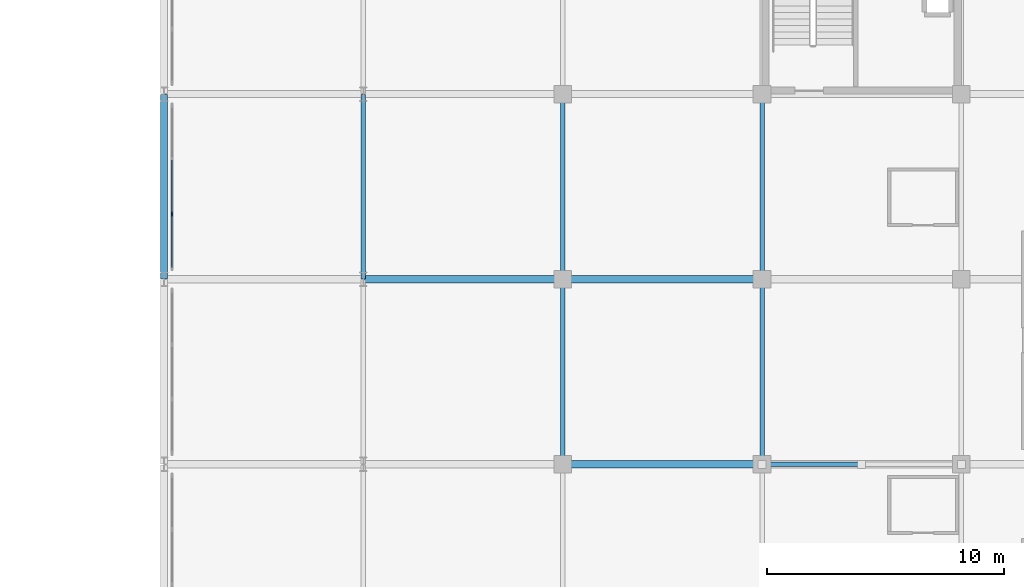
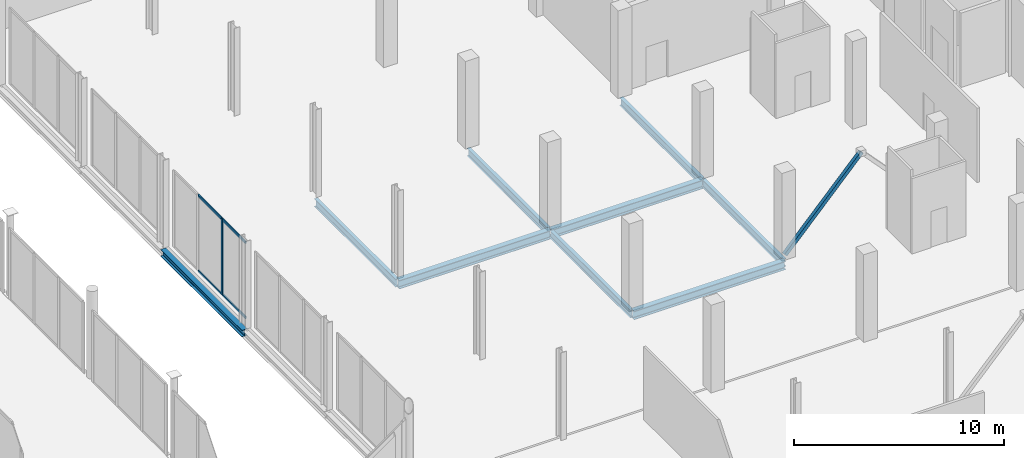
# One storey, part 57 of 105: 9 beams, 6 members, 1 element without a shape of its own.
"""IFC4 building model written with IfcOpenShell, lengths in metres."""

import ifcopenshell
import ifcopenshell.guid

model = None  # the IFC model being written
_history = None  # IfcOwnerHistory: only IFC2X3 demands one
_inside = {}  # id of a spatial element -> (the spatial element, [elements in it])
_under = {}  # id of a project, library or spatial element -> (it, [spatial elements below it])
_declared = {}  # id of a project -> (the project, [libraries it declares])
_typed = {}  # id of a type object -> (the type object, [elements of that type])
_made_of = {}  # id of a material, layer set ... -> (it, [elements and type objects made of it])


def new_model(schema):
    """Start an empty IFC model of exactly this schema.

    Asked for "IFC4X3", IfcOpenShell would pick the latest addendum, in which some entities
    have other attributes; the version numbers below select the first issue.
    IFC2X3 requires an IfcOwnerHistory on every rooted entity: one is made here for all.
    """
    global model, _history
    if schema == "IFC4X3":
        model = ifcopenshell.file(schema_version=(4, 3, 0, 0))
    else:
        model = ifcopenshell.file(schema=schema)
    _inside.clear()
    _under.clear()
    _declared.clear()
    _typed.clear()
    _made_of.clear()
    _history = None
    if model.schema == "IFC2X3":
        org = make("IfcOrganization", Name="unknown")
        user = make(
            "IfcPersonAndOrganization",
            ThePerson=make("IfcPerson", FamilyName="unknown"),
            TheOrganization=org,
        )
        app = make(
            "IfcApplication",
            ApplicationDeveloper=org,
            Version="unknown",
            ApplicationFullName="unknown",
            ApplicationIdentifier="unknown",
        )
        _history = make(
            "IfcOwnerHistory",
            OwningUser=user,
            OwningApplication=app,
            ChangeAction="ADDED",
            CreationDate=0,
        )
    return model


def make(cls, **values):
    """One entity of the class cls with the attributes given. An attribute that is None is left unset."""
    return model.create_entity(
        cls, **{name: value for name, value in values.items() if value is not None}
    )


def rooted(cls, **values):
    """An entity with a GlobalId (a new one), such as an element, a storey or a relation."""
    return make(cls, GlobalId=ifcopenshell.guid.new(), OwnerHistory=_history, **values)


def si_unit(unit_type, name, prefix=None):
    """IfcSIUnit, for example si_unit("LENGTHUNIT", "METRE", prefix="MILLI")."""
    return make("IfcSIUnit", UnitType=unit_type, Prefix=prefix, Name=name)


def assignment(units):
    """IfcUnitAssignment: the units of a project."""
    return None if units is None else make("IfcUnitAssignment", Units=units)


def point(xyz):
    """IfcCartesianPoint."""
    return None if xyz is None else make("IfcCartesianPoint", Coordinates=xyz)


def direction(xyz):
    """IfcDirection."""
    return None if xyz is None else make("IfcDirection", DirectionRatios=xyz)


def frame(location, z_axis=None, x_axis=None):
    """IfcAxis2Placement3D, a coordinate frame: its origin and axes. An axis left out is left unset."""
    return make(
        "IfcAxis2Placement3D",
        Location=point(location),
        Axis=direction(z_axis),
        RefDirection=direction(x_axis),
    )


def frame_2d(location, x_axis=None):
    """IfcAxis2Placement2D, a coordinate frame in the plane: its origin and x axis."""
    return make(
        "IfcAxis2Placement2D", Location=point(location), RefDirection=direction(x_axis)
    )


def origin():
    """The frame at (0, 0, 0) with its axes left unset."""
    return frame((0.0, 0.0, 0.0))


def origin_2d():
    """The frame at (0, 0) in the plane with its x axis left unset."""
    return frame_2d((0.0, 0.0))


def place(relative_to, where):
    """IfcLocalPlacement: puts the frame where relative to a parent placement (None: the world)."""
    return make(
        "IfcLocalPlacement", PlacementRelTo=relative_to, RelativePlacement=where
    )


def context(
    kind, dimensions, precision=None, world=None, true_north=None, identifier=None
):
    """IfcGeometricRepresentationContext, for example the 3D "Model" context."""
    return make(
        "IfcGeometricRepresentationContext",
        ContextIdentifier=identifier,
        ContextType=kind,
        CoordinateSpaceDimension=dimensions,
        Precision=precision,
        WorldCoordinateSystem=world,
        TrueNorth=true_north,
    )


def subcontext(parent, identifier, kind, view, scale=None):
    """IfcGeometricRepresentationSubContext, for example "Body" below "Model"."""
    return make(
        "IfcGeometricRepresentationSubContext",
        ContextIdentifier=identifier,
        ContextType=kind,
        ParentContext=parent,
        TargetScale=scale,
        TargetView=view,
    )


def project(units=None, contexts=None):
    """IfcProject with its units and contexts."""
    return rooted(
        "IfcProject",
        Name="project",
        RepresentationContexts=contexts,
        UnitsInContext=assignment(units),
    )


def spatial(cls, under=None, at=None, **own):
    """A site, building, storey or space (cls), placed at a placement, below another one or the project."""
    s = rooted(cls, ObjectPlacement=at, **own)
    if under is not None:
        _under.setdefault(under.id(), (under, []))[1].append(s)
    return s


def profile(cls, at=None, kind="AREA", **sizes):
    """A parametric profile (cls). Its sizes go by their IFC names, for example OverallWidth=200.0."""
    return make(cls, ProfileType=kind, Position=at, **sizes)


def rectangle(**sizes):
    """IfcRectangleProfileDef."""
    return profile("IfcRectangleProfileDef", **sizes)


def hollow_rectangle(**sizes):
    """IfcRectangleHollowProfileDef."""
    return profile("IfcRectangleHollowProfileDef", **sizes)


def i_section(**sizes):
    """IfcIShapeProfileDef."""
    return profile("IfcIShapeProfileDef", **sizes)


def extrude(swept, where, along, depth):
    """IfcExtrudedAreaSolid: the profile swept, set in the frame where, extruded along a direction by depth."""
    return make(
        "IfcExtrudedAreaSolid",
        SweptArea=swept,
        Position=where,
        ExtrudedDirection=direction(along),
        Depth=depth,
    )


def shape(context_of_items, identifier, shape_type, items):
    """IfcShapeRepresentation: the items that make up one representation, for example the "Body"."""
    return make(
        "IfcShapeRepresentation",
        ContextOfItems=context_of_items,
        RepresentationIdentifier=identifier,
        RepresentationType=shape_type,
        Items=items,
    )


def material(Name=None, Category=None):
    """IfcMaterial."""
    return make("IfcMaterial", Name=Name, Category=Category)


def material_profile(
    of_material, cross_section, Name=None, Category=None, Priority=None
):
    """IfcMaterialProfile: a cross section and its material."""
    return make(
        "IfcMaterialProfile",
        Name=Name,
        Material=of_material,
        Profile=cross_section,
        Priority=Priority,
        Category=Category,
    )


def profile_set(profiles, Name=None, composite=None):
    """IfcMaterialProfileSet."""
    return make(
        "IfcMaterialProfileSet",
        Name=Name,
        MaterialProfiles=profiles,
        CompositeProfile=composite,
    )


def made_of(thing, what):
    """Note that an element or type object is made of a material, layer set ...; save() writes the relation."""
    if what is not None:
        _made_of.setdefault(what.id(), (what, []))[1].append(thing)
    return thing


def type_object(cls, material=None, **own):
    """A type object (cls), such as IfcWallType, which elements share."""
    return made_of(rooted(cls, **own), material)


def element(
    cls,
    number,
    at=None,
    inside=None,
    cuts=None,
    type_object=None,
    material=None,
    context=None,
    identifier="Body",
    shape_type=None,
    held_by="IfcProductDefinitionShape",
    body=None,
    shapes=None,
    **own,
):
    """One element of the class cls, such as IfcWall. Its Tag is "e" and its number.

    at: its placement. inside: the storey or other place that contains it. cuts: it is an
    opening in that element (IfcRelVoidsElement). A single representation is given by context,
    identifier, shape_type and body (its items); several are given by shapes. held_by: the class
    of the entity that holds the representations. save() writes the other relations.
    """
    e = rooted(cls, Tag="e%d" % number, ObjectPlacement=at, **own)
    if body is not None:
        shapes = [shape(context, identifier, shape_type, body)]
    if shapes is not None:
        e.Representation = make(held_by, Representations=shapes)
    if inside is not None:
        _inside.setdefault(inside.id(), (inside, []))[1].append(e)
    if cuts is not None:
        rooted(
            "IfcRelVoidsElement", RelatingBuildingElement=cuts, RelatedOpeningElement=e
        )
    if type_object is not None:
        _typed.setdefault(type_object.id(), (type_object, []))[1].append(e)
    return made_of(e, material)


def aggregate(whole, parts):
    """IfcRelAggregates: a whole, such as a stair, and the parts it consists of."""
    return rooted("IfcRelAggregates", RelatingObject=whole, RelatedObjects=parts)


def save(model, path):
    """Write the relations noted so far, then the file.

    IfcRelAggregates (storeys below a building ...), IfcRelContainedInSpatialStructure (elements
    in a storey), IfcRelDefinesByType, IfcRelAssociatesMaterial and IfcRelDeclares: one each for
    every whole, place, type object, material and project.
    """
    for whole, parts in _under.values():
        aggregate(whole, parts)
    for where, things in _inside.values():
        rooted(
            "IfcRelContainedInSpatialStructure",
            RelatedElements=things,
            RelatingStructure=where,
        )
    for kind, things in _typed.values():
        rooted("IfcRelDefinesByType", RelatedObjects=things, RelatingType=kind)
    for what, things in _made_of.values():
        rooted("IfcRelAssociatesMaterial", RelatedObjects=things, RelatingMaterial=what)
    for by, libraries in _declared.values():
        rooted("IfcRelDeclares", RelatingContext=by, RelatedDefinitions=libraries)
    model.write(path)


model = new_model("IFC4")

# Units and contexts
model_context = context("Model", 3, precision=1e-05, world=origin(), true_north=direction((0.0, 1.0)))
body_context = subcontext(model_context, "Body", "Model", "MODEL_VIEW")
ifc_project = project(units=[si_unit("LENGTHUNIT", "METRE"), si_unit("AREAUNIT", "SQUARE_METRE"), si_unit("VOLUMEUNIT", "CUBIC_METRE"), si_unit("PLANEANGLEUNIT", "RADIAN"), si_unit("MASSUNIT", "GRAM", prefix="KILO")], contexts=[model_context])

# Site, building, storey
site_placement = place(None, origin())
site = spatial("IfcSite", under=ifc_project, at=site_placement, CompositionType="ELEMENT")
building_placement = place(site_placement, origin())
building = spatial("IfcBuilding", under=site, at=building_placement, Name="Nabrawat Pavilion Hospital", CompositionType="ELEMENT")
storey_placement = place(building_placement, frame((0.0, 0.0, 5.10009765625)))
storey = spatial("IfcBuildingStorey", under=building, at=storey_placement, Name="L01", CompositionType="ELEMENT", Elevation=5.10009765625)

# Curtain wall, members
ifc_material_1 = material(Name="Anodised Aluminium", Category="aluminium")
curtain_wall_type = type_object("IfcCurtainWallType", Name="Healing Garden Cloister Curtain Wall", PredefinedType="USERDEFINED", material=ifc_material_1)
curtain_wall_placement = place(storey_placement, origin())
curtain_wall = element("IfcCurtainWall", 1, at=curtain_wall_placement, inside=storey, type_object=curtain_wall_type, Name="L01 Healing Garden Cloister Curtain Wall 088", ObjectType="CURTAIN WALL", PredefinedType="USERDEFINED")
ifc_material_profile_1 = material_profile(ifc_material_1, rectangle(XDim=0.06494140625, YDim=0.179931640625, at=origin_2d()), Name="CWM 65x180")
ifc_profile_set_1 = profile_set([ifc_material_profile_1], Name="Anodised Aluminium")
member_type_1 = type_object("IfcMemberType", Name="Healing Garden Cloister Curtain Wall Mullion CWM 65x180", PredefinedType="MULLION", material=ifc_profile_set_1)
member_1_placement = place(storey_placement, frame((126.340087890625, 57.3466796875, 0.0), z_axis=(0.0, 0.0, 1.0), x_axis=(-1.0, 0.0, 0.0)))
member_1 = element("IfcMember", 2, at=member_1_placement, type_object=member_type_1, Name="CW-CLN-01 mullion 2", PredefinedType="MULLION", context=body_context, shape_type="SweptSolid", body=[
    extrude(rectangle(XDim=0.06494140625, YDim=0.179931640625, at=origin_2d()), origin(), (0.0, 0.0, 1.0), 4.43994140625),
])
ifc_material_profile_2 = material_profile(ifc_material_1, rectangle(XDim=0.06494140625, YDim=0.135009765625, at=origin_2d()), Name="CWT 65x135")
ifc_profile_set_2 = profile_set([ifc_material_profile_2], Name="Anodised Aluminium")
member_type_2 = type_object("IfcMemberType", Name="Healing Garden Cloister Curtain Wall Transom CWT 65x135", PredefinedType="USERDEFINED", material=ifc_profile_set_2)
member_2_placement = place(storey_placement, frame((126.340087890625, 55.10498046875, 0.032470703125), z_axis=(0.0, 1.0, 0.0), x_axis=(-1.0, 0.0, 0.0)))
member_2 = element("IfcMember", 3, at=member_2_placement, type_object=member_type_2, Name="CW-CLN-01 transom 1.1", ObjectType="TRANSOM", PredefinedType="USERDEFINED", context=body_context, shape_type="SweptSolid", body=[
    extrude(rectangle(XDim=0.06494140625, YDim=0.135009765625, at=origin_2d()), origin(), (0.0, 0.0, 1.0), 2.209228515625),
])
member_3_placement = place(storey_placement, frame((126.340087890625, 55.10498046875, 4.407470703125), z_axis=(0.0, 1.0, 0.0), x_axis=(-1.0, 0.0, 0.0)))
member_3 = element("IfcMember", 4, at=member_3_placement, type_object=member_type_2, Name="CW-CLN-01 transom 1.2", ObjectType="TRANSOM", PredefinedType="USERDEFINED", context=body_context, shape_type="SweptSolid", body=[
    extrude(rectangle(XDim=0.06494140625, YDim=0.135009765625, at=origin_2d()), origin(), (0.0, 0.0, 1.0), 2.209228515625),
])
member_4_placement = place(storey_placement, frame((126.340087890625, 57.379150390625, 0.032470703125), z_axis=(0.0, 1.0, 0.0), x_axis=(-1.0, 0.0, 0.0)))
member_4 = element("IfcMember", 5, at=member_4_placement, type_object=member_type_2, Name="CW-CLN-01 transom 2.1", ObjectType="TRANSOM", PredefinedType="USERDEFINED", context=body_context, shape_type="SweptSolid", body=[
    extrude(rectangle(XDim=0.06494140625, YDim=0.135009765625, at=origin_2d()), origin(), (0.0, 0.0, 1.0), 2.24169921875),
])
member_5_placement = place(storey_placement, frame((126.340087890625, 57.379150390625, 4.407470703125), z_axis=(0.0, 1.0, 0.0), x_axis=(-1.0, 0.0, 0.0)))
member_5 = element("IfcMember", 6, at=member_5_placement, type_object=member_type_2, Name="CW-CLN-01 transom 2.2", ObjectType="TRANSOM", PredefinedType="USERDEFINED", context=body_context, shape_type="SweptSolid", body=[
    extrude(rectangle(XDim=0.06494140625, YDim=0.135009765625, at=origin_2d()), origin(), (0.0, 0.0, 1.0), 2.24169921875),
])
aggregate(curtain_wall, [member_1, member_2, member_3, member_4, member_5])

# Member
ifc_material_2 = material(Name="Steel S355", Category="steel")
ifc_material_profile_3 = material_profile(ifc_material_2, hollow_rectangle(XDim=0.199951171875, YDim=0.199951171875, WallThickness=0.012451171875, at=origin_2d()), Name="SHS 200x200x12.5")
ifc_profile_set_3 = profile_set([ifc_material_profile_3], Name="Steel S355")
member_type_3 = type_object("IfcMemberType", Name="Mid Seismic Chevron Brace SHS 200x200x12.5", PredefinedType="BRACE", material=ifc_profile_set_3)
member_6_placement = place(storey_placement, frame((151.199951171875, 46.800048828125, 0.0498046875), z_axis=(0.682314010889, 0.0, 0.73105922506), x_axis=(0.0, 1.0, 0.0)))
element("IfcMember", 7, at=member_6_placement, inside=storey, type_object=member_type_3, Name="L01 Seismic Concentric Chevron Brace 051", PredefinedType="BRACE", context=body_context, shape_type="SweptSolid", body=[
    extrude(hollow_rectangle(XDim=0.199951171875, YDim=0.199951171875, WallThickness=0.012451171875, at=origin_2d()), origin(), (0.0, 0.0, 1.0), 6.155517578125),
])

# Beams
ifc_material_profile_4 = material_profile(ifc_material_2, i_section(OverallWidth=0.300048828125, OverallDepth=0.389892578125, WebThickness=0.010986328125, FlangeThickness=0.01904296875, FilletRadius=0.027099609375, at=origin_2d()), Name="HEA 400")
ifc_profile_set_4 = profile_set([ifc_material_profile_4], Name="Steel S355")
beam_type_1 = type_object("IfcBeamType", Name="Perimeter Moment Spandrel Beam HEA 400", PredefinedType="SPANDREL", material=ifc_profile_set_4)
beam_1_placement = place(storey_placement, frame((126.0, 54.6201171875, -0.445068359375), z_axis=(0.0, 1.0, 0.0), x_axis=(-1.0, 0.0, 0.0)))
element("IfcBeam", 8, at=beam_1_placement, inside=storey, type_object=beam_type_1, Name="L01 Primary Y Beam 805", PredefinedType="SPANDREL", context=body_context, shape_type="SweptSolid", body=[
    extrude(i_section(OverallWidth=0.300048828125, OverallDepth=0.389892578125, WebThickness=0.010986328125, FlangeThickness=0.01904296875, FilletRadius=0.027099609375, at=origin_2d()), origin(), (0.0, 0.0, 1.0), 7.759765625),
])
ifc_material_profile_5 = material_profile(ifc_material_2, i_section(OverallWidth=0.300048828125, OverallDepth=0.5, WebThickness=0.014404296875, FlangeThickness=0.028076171875, FilletRadius=0.027099609375, at=origin_2d()), Name="HEB 500")
ifc_profile_set_5 = profile_set([ifc_material_profile_5], Name="Steel S355")
beam_type_2 = type_object("IfcBeamType", Name="Primary Floor Girder HEB 500", PredefinedType="USERDEFINED", material=ifc_profile_set_5)
beam_2_placement = place(storey_placement, frame((142.820068359375, 46.800048828125, -0.5), z_axis=(1.0, 0.0, 0.0), x_axis=(0.0, 1.0, 0.0)))
element("IfcBeam", 9, at=beam_2_placement, inside=storey, type_object=beam_type_2, Name="L01 Primary X Girder 542", ObjectType="GIRDER", PredefinedType="USERDEFINED", context=body_context, shape_type="SweptSolid", body=[
    extrude(i_section(OverallWidth=0.300048828125, OverallDepth=0.5, WebThickness=0.014404296875, FlangeThickness=0.028076171875, FilletRadius=0.027099609375, at=origin_2d()), origin(), (0.0, 0.0, 1.0), 8.35986328125),
])
beam_3_placement = place(storey_placement, frame((134.419921875, 54.60009765625, -0.5), z_axis=(1.0, 0.0, 0.0), x_axis=(0.0, 1.0, 0.0)))
element("IfcBeam", 10, at=beam_3_placement, inside=storey, type_object=beam_type_2, Name="L01 Primary X Girder 555", ObjectType="GIRDER", PredefinedType="USERDEFINED", context=body_context, shape_type="SweptSolid", body=[
    extrude(i_section(OverallWidth=0.300048828125, OverallDepth=0.5, WebThickness=0.014404296875, FlangeThickness=0.028076171875, FilletRadius=0.027099609375, at=origin_2d()), origin(), (0.0, 0.0, 1.0), 8.360107421875),
])
beam_4_placement = place(storey_placement, frame((142.820068359375, 54.60009765625, -0.5), z_axis=(1.0, 0.0, 0.0), x_axis=(0.0, 1.0, 0.0)))
element("IfcBeam", 11, at=beam_4_placement, inside=storey, type_object=beam_type_2, Name="L01 Primary X Girder 556", ObjectType="GIRDER", PredefinedType="USERDEFINED", context=body_context, shape_type="SweptSolid", body=[
    extrude(i_section(OverallWidth=0.300048828125, OverallDepth=0.5, WebThickness=0.014404296875, FlangeThickness=0.028076171875, FilletRadius=0.027099609375, at=origin_2d()), origin(), (0.0, 0.0, 1.0), 8.35986328125),
])
ifc_material_profile_6 = material_profile(ifc_material_2, i_section(OverallWidth=0.18994140625, OverallDepth=0.449951171875, WebThickness=0.009521484375, FlangeThickness=0.0146484375, FilletRadius=0.02099609375, at=origin_2d()), Name="IPE 450")
ifc_profile_set_6 = profile_set([ifc_material_profile_6], Name="Steel S355")
beam_type_3 = type_object("IfcBeamType", Name="Primary Y Floor Beam IPE 450", PredefinedType="BEAM", material=ifc_profile_set_6)
beam_5_placement = place(storey_placement, frame((134.39990234375, 54.6201171875, -0.47509765625), z_axis=(0.0, 1.0, 0.0), x_axis=(-1.0, 0.0, 0.0)))
element("IfcBeam", 12, at=beam_5_placement, inside=storey, type_object=beam_type_3, Name="L01 Primary Y Beam 821", PredefinedType="BEAM", context=body_context, shape_type="SweptSolid", body=[
    extrude(i_section(OverallWidth=0.18994140625, OverallDepth=0.449951171875, WebThickness=0.009521484375, FlangeThickness=0.0146484375, FilletRadius=0.02099609375, at=origin_2d()), origin(), (0.0, 0.0, 1.0), 7.759765625),
])
beam_6_placement = place(storey_placement, frame((142.800048828125, 46.820068359375, -0.47509765625), z_axis=(0.0, 1.0, 0.0), x_axis=(-1.0, 0.0, 0.0)))
element("IfcBeam", 13, at=beam_6_placement, inside=storey, type_object=beam_type_3, Name="L01 Primary Y Beam 836", PredefinedType="BEAM", context=body_context, shape_type="SweptSolid", body=[
    extrude(i_section(OverallWidth=0.18994140625, OverallDepth=0.449951171875, WebThickness=0.009521484375, FlangeThickness=0.0146484375, FilletRadius=0.02099609375, at=origin_2d()), origin(), (0.0, 0.0, 1.0), 7.760009765625),
])
beam_7_placement = place(storey_placement, frame((142.800048828125, 54.6201171875, -0.47509765625), z_axis=(0.0, 1.0, 0.0), x_axis=(-1.0, 0.0, 0.0)))
element("IfcBeam", 14, at=beam_7_placement, inside=storey, type_object=beam_type_3, Name="L01 Primary Y Beam 837", PredefinedType="BEAM", context=body_context, shape_type="SweptSolid", body=[
    extrude(i_section(OverallWidth=0.18994140625, OverallDepth=0.449951171875, WebThickness=0.009521484375, FlangeThickness=0.0146484375, FilletRadius=0.02099609375, at=origin_2d()), origin(), (0.0, 0.0, 1.0), 7.759765625),
])
beam_8_placement = place(storey_placement, frame((151.199951171875, 46.820068359375, -0.47509765625), z_axis=(0.0, 1.0, 0.0), x_axis=(-1.0, 0.0, 0.0)))
element("IfcBeam", 15, at=beam_8_placement, inside=storey, type_object=beam_type_3, Name="L01 Primary Y Beam 852", PredefinedType="BEAM", context=body_context, shape_type="SweptSolid", body=[
    extrude(i_section(OverallWidth=0.18994140625, OverallDepth=0.449951171875, WebThickness=0.009521484375, FlangeThickness=0.0146484375, FilletRadius=0.02099609375, at=origin_2d()), origin(), (0.0, 0.0, 1.0), 7.760009765625),
])
beam_9_placement = place(storey_placement, frame((151.199951171875, 54.6201171875, -0.47509765625), z_axis=(0.0, 1.0, 0.0), x_axis=(-1.0, 0.0, 0.0)))
element("IfcBeam", 16, at=beam_9_placement, inside=storey, type_object=beam_type_3, Name="L01 Primary Y Beam 853", PredefinedType="BEAM", context=body_context, shape_type="SweptSolid", body=[
    extrude(i_section(OverallWidth=0.18994140625, OverallDepth=0.449951171875, WebThickness=0.009521484375, FlangeThickness=0.0146484375, FilletRadius=0.02099609375, at=origin_2d()), origin(), (0.0, 0.0, 1.0), 7.759765625),
])

save(model, "model.ifc")
